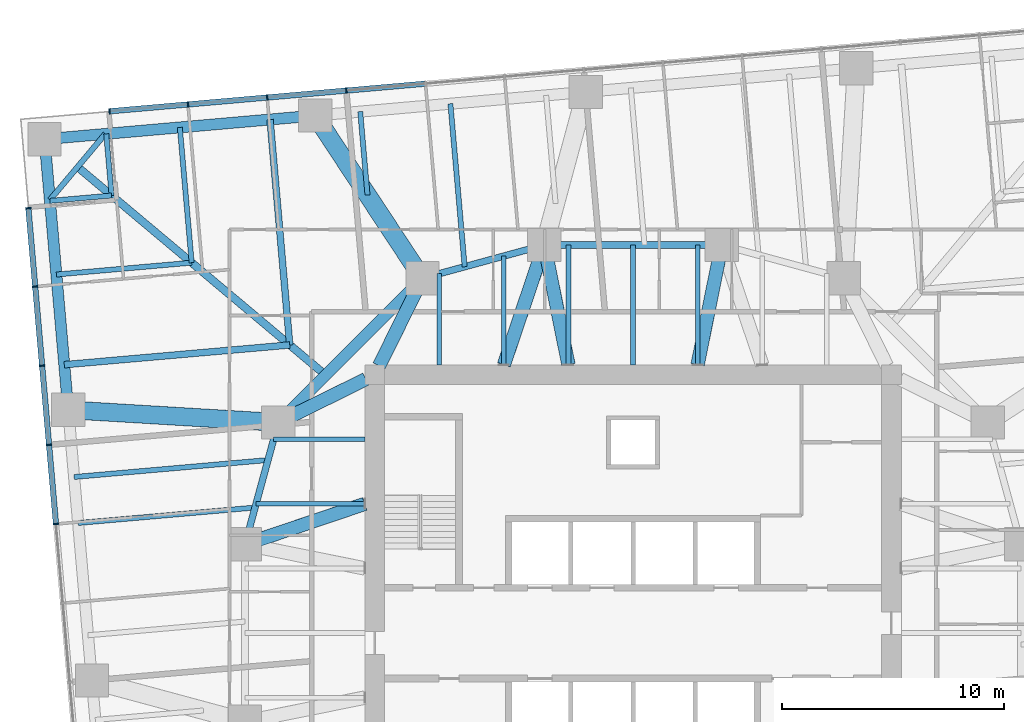
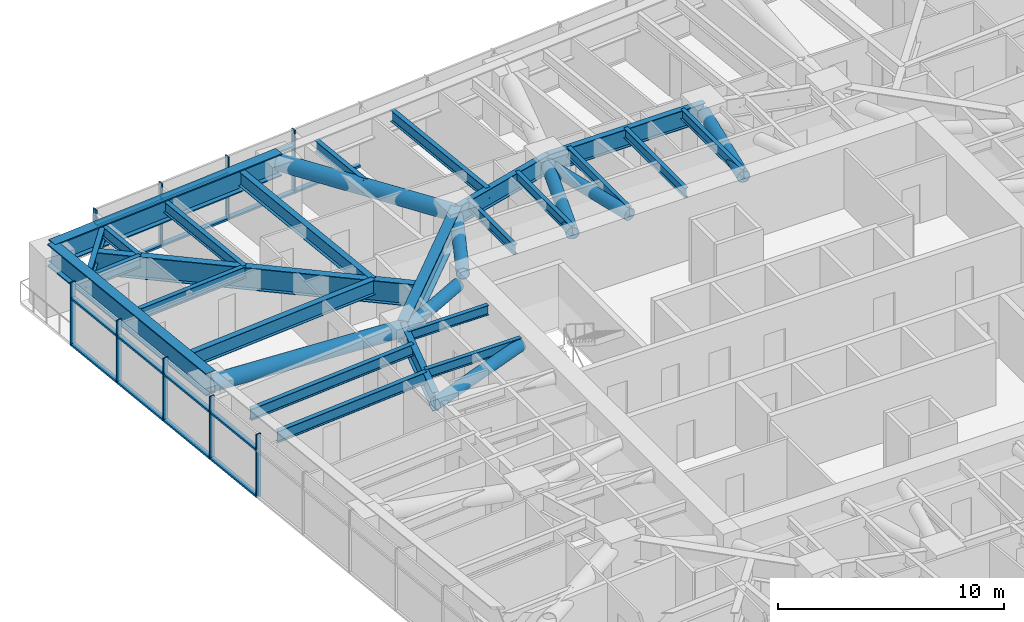
# One storey, part 6 of 18: 32 members, 25 beams, 2 elements without a shape of their own.
"""IFC4 building model written with IfcOpenShell, lengths in metres."""

from ifc_helpers import new_model, si_unit, direction, frame, origin, origin_2d, place, context, subcontext, project, spatial, rectangle, hollow_circle, i_section, extrude, material, material_profile, profile_set, type_object, element, aggregate, save


model = new_model("IFC4")

# Units and contexts
model_context = context("Model", 3, precision=1e-05, world=origin(), true_north=direction((0.0, 1.0)))
body_context = subcontext(model_context, "Body", "Model", "MODEL_VIEW")
ifc_project = project(units=[si_unit("LENGTHUNIT", "METRE"), si_unit("AREAUNIT", "SQUARE_METRE"), si_unit("VOLUMEUNIT", "CUBIC_METRE"), si_unit("PLANEANGLEUNIT", "RADIAN"), si_unit("MASSUNIT", "GRAM", prefix="KILO")], contexts=[model_context])

# Site, building, storey
site_placement = place(None, origin())
site = spatial("IfcSite", under=ifc_project, at=site_placement, CompositionType="ELEMENT")
building_placement = place(site_placement, origin())
building = spatial("IfcBuilding", under=site, at=building_placement, Name="Torsade Residences", CompositionType="ELEMENT")
storey_placement = place(building_placement, frame((0.0, 0.0, 71.0)))
storey = spatial("IfcBuildingStorey", under=building, at=storey_placement, Name="L19", CompositionType="ELEMENT", Elevation=71.0)

# Beams
ifc_material_1 = material(Name="Steel grade 300", Category="steel")
ifc_material_profile_1 = material_profile(ifc_material_1, i_section(OverallWidth=0.35009765625, OverallDepth=1.199951171875, WebThickness=0.01611328125, FlangeThickness=0.028076171875, at=origin_2d()), Name="1200WB278")
ifc_profile_set_1 = profile_set([ifc_material_profile_1], Name="Steel grade 300")
beam_type_1 = type_object("IfcBeamType", Name="CORNER GIRDER 1200WB278", PredefinedType="BEAM", material=ifc_profile_set_1)
beam_1_placement = place(storey_placement, frame((14.947509765625, 51.021484375, 2.60009765625), z_axis=(0.766046281307, -0.642785419012, 0.0), x_axis=(0.642785419012, 0.766046281307, 0.0)))
element("IfcBeam", 1, at=beam_1_placement, inside=storey, type_object=beam_type_1, Name="Corner girder 13 L20", PredefinedType="BEAM", context=body_context, shape_type="SweptSolid", body=[
    extrude(i_section(OverallWidth=0.35009765625, OverallDepth=1.199951171875, WebThickness=0.01611328125, FlangeThickness=0.028076171875, at=origin_2d()), origin(), (0.0, 0.0, 1.0), 14.603515625),
])
ifc_material_2 = material(Name="Steel grade 300", Category="steel")
ifc_material_profile_2 = material_profile(ifc_material_2, i_section(OverallWidth=0.25, OverallDepth=0.699951171875, WebThickness=0.010009765625, FlangeThickness=0.02001953125, at=origin_2d()), Name="700WB130")
ifc_profile_set_2 = profile_set([ifc_material_profile_2], Name="Steel grade 300")
beam_type_2 = type_object("IfcBeamType", Name="CORNER TRIMMER 700WB130", PredefinedType="BEAM", material=ifc_profile_set_2)
beam_2_placement = place(storey_placement, frame((13.697509765625, 49.531982421875, 2.85009765625), z_axis=(0.642804819911, 0.766030001697, 0.0), x_axis=(-0.766030001697, 0.642804819911, 0.0)))
element("IfcBeam", 2, at=beam_2_placement, inside=storey, type_object=beam_type_2, Name="Corner trimmer 13 L20", PredefinedType="BEAM", context=body_context, shape_type="SweptSolid", body=[
    extrude(i_section(OverallWidth=0.25, OverallDepth=0.699951171875, WebThickness=0.010009765625, FlangeThickness=0.02001953125, at=origin_2d()), origin(), (0.0, 0.0, 1.0), 3.88916015625),
])

# Curtain wall, members
ifc_material_3 = material(Name="Aluminium and glass", Category="aluminium")
curtain_wall_type = type_object("IfcCurtainWallType", Name="FRITTED GLASS CURTAIN WALL LOW ZONE", PredefinedType="NOTDEFINED", material=ifc_material_3)
curtain_wall_1_placement = place(storey_placement, origin())
curtain_wall_1 = element("IfcCurtainWall", 3, at=curtain_wall_1_placement, inside=storey, type_object=curtain_wall_type, Name="Curtain wall L19 face 7", PredefinedType="NOTDEFINED")
ifc_material_4 = material(Name="Aluminium mullion", Category="aluminium")
ifc_material_profile_3 = material_profile(ifc_material_4, rectangle(XDim=0.25, YDim=0.06494140625, at=origin_2d()), Name="CURTAIN WALL MULLION 250x65")
ifc_profile_set_3 = profile_set([ifc_material_profile_3], Name="Aluminium mullion")
member_type_1 = type_object("IfcMemberType", Name="CURTAIN WALL MULLION 250x65", PredefinedType="MULLION", material=ifc_profile_set_3)
member_1_placement = place(storey_placement, frame((27.068359375, 54.466064453125, 0.0), z_axis=(0.0, 0.0, 1.0), x_axis=(0.087155744208, -0.996194697964, 0.0)))
member_1 = element("IfcMember", 4, at=member_1_placement, type_object=member_type_1, Name="Mullion 10", PredefinedType="MULLION", context=body_context, shape_type="SweptSolid", body=[
    extrude(rectangle(XDim=0.25, YDim=0.06494140625, at=origin_2d()), origin(), (0.0, 0.0, 1.0), 3.39990234375),
])
member_2_placement = place(storey_placement, frame((23.498779296875, 54.15380859375, 0.0), z_axis=(0.0, 0.0, 1.0), x_axis=(0.087155744208, -0.996194697964, 0.0)))
member_2 = element("IfcMember", 5, at=member_2_placement, type_object=member_type_1, Name="Mullion 11", PredefinedType="MULLION", context=body_context, shape_type="SweptSolid", body=[
    extrude(rectangle(XDim=0.25, YDim=0.06494140625, at=origin_2d()), origin(), (0.0, 0.0, 1.0), 3.39990234375),
])
member_3_placement = place(storey_placement, frame((19.928955078125, 53.84130859375, 0.0), z_axis=(0.0, 0.0, 1.0), x_axis=(0.087155744208, -0.996194697964, 0.0)))
member_3 = element("IfcMember", 6, at=member_3_placement, type_object=member_type_1, Name="Mullion 12", PredefinedType="MULLION", context=body_context, shape_type="SweptSolid", body=[
    extrude(rectangle(XDim=0.25, YDim=0.06494140625, at=origin_2d()), origin(), (0.0, 0.0, 1.0), 3.39990234375),
])
member_4_placement = place(storey_placement, frame((16.3916015625, 53.531982421875, 0.0), z_axis=(0.0, 0.0, 1.0), x_axis=(0.087155744208, -0.996194697964, 0.0)))
member_4 = element("IfcMember", 7, at=member_4_placement, type_object=member_type_1, Name="Mullion 13", PredefinedType="MULLION", context=body_context, shape_type="SweptSolid", body=[
    extrude(rectangle(XDim=0.25, YDim=0.06494140625, at=origin_2d()), origin(), (0.0, 0.0, 1.0), 3.39990234375),
])

curtain_wall_2_placement = place(storey_placement, origin())
curtain_wall_2 = element("IfcCurtainWall", 8, at=curtain_wall_2_placement, inside=storey, type_object=curtain_wall_type, Name="Curtain wall L19 face 10", PredefinedType="NOTDEFINED")
member_5_placement = place(storey_placement, frame((12.72607421875, 49.163330078125, 0.0), z_axis=(0.0, 0.0, 1.0), x_axis=(0.996194697964, 0.087155744208, 0.0)))
member_5 = element("IfcMember", 9, at=member_5_placement, type_object=member_type_1, Name="Mullion 1", PredefinedType="MULLION", context=body_context, shape_type="SweptSolid", body=[
    extrude(rectangle(XDim=0.25, YDim=0.06494140625, at=origin_2d()), origin(), (0.0, 0.0, 1.0), 3.39990234375),
])
member_6_placement = place(storey_placement, frame((13.035400390625, 45.6259765625, 0.0), z_axis=(0.0, 0.0, 1.0), x_axis=(0.996194697964, 0.087155744208, 0.0)))
member_6 = element("IfcMember", 10, at=member_6_placement, type_object=member_type_1, Name="Mullion 2", PredefinedType="MULLION", context=body_context, shape_type="SweptSolid", body=[
    extrude(rectangle(XDim=0.25, YDim=0.06494140625, at=origin_2d()), origin(), (0.0, 0.0, 1.0), 3.39990234375),
])
member_7_placement = place(storey_placement, frame((13.347900390625, 42.056396484375, 0.0), z_axis=(0.0, 0.0, 1.0), x_axis=(0.996194697964, 0.087155744208, 0.0)))
member_7 = element("IfcMember", 11, at=member_7_placement, type_object=member_type_1, Name="Mullion 3", PredefinedType="MULLION", context=body_context, shape_type="SweptSolid", body=[
    extrude(rectangle(XDim=0.25, YDim=0.06494140625, at=origin_2d()), origin(), (0.0, 0.0, 1.0), 3.39990234375),
])
member_8_placement = place(storey_placement, frame((13.66015625, 38.486572265625, 0.0), z_axis=(0.0, 0.0, 1.0), x_axis=(0.996194697964, 0.087155744208, 0.0)))
member_8 = element("IfcMember", 12, at=member_8_placement, type_object=member_type_1, Name="Mullion 4", PredefinedType="MULLION", context=body_context, shape_type="SweptSolid", body=[
    extrude(rectangle(XDim=0.25, YDim=0.06494140625, at=origin_2d()), origin(), (0.0, 0.0, 1.0), 3.39990234375),
])
member_9_placement = place(storey_placement, frame((13.972412109375, 34.9169921875, 0.0), z_axis=(0.0, 0.0, 1.0), x_axis=(0.996194697964, 0.087155744208, 0.0)))
member_9 = element("IfcMember", 13, at=member_9_placement, type_object=member_type_1, Name="Mullion 5", PredefinedType="MULLION", context=body_context, shape_type="SweptSolid", body=[
    extrude(rectangle(XDim=0.25, YDim=0.06494140625, at=origin_2d()), origin(), (0.0, 0.0, 1.0), 3.39990234375),
])

# Member
ifc_material_5 = material(Name="Aluminium transom", Category="aluminium")
ifc_material_profile_4 = material_profile(ifc_material_5, rectangle(XDim=0.25, YDim=0.10009765625, at=origin_2d()), Name="CURTAIN WALL TRANSOM 250x100")
ifc_profile_set_4 = profile_set([ifc_material_profile_4], Name="Aluminium transom")
member_type_2 = type_object("IfcMemberType", Name="CURTAIN WALL TRANSOM 250x100", PredefinedType="USERDEFINED", material=ifc_profile_set_4)
member_10_placement = place(storey_placement, frame((30.605712890625, 54.775634765625, 0.050048828125), z_axis=(-0.996194621295, -0.087156620531, 0.0), x_axis=(0.087156620531, -0.996194621295, 0.0)))
member_10 = element("IfcMember", 14, at=member_10_placement, type_object=member_type_2, Name="Transom 9.1", ObjectType="TRANSOM", PredefinedType="USERDEFINED", context=body_context, shape_type="SweptSolid", body=[
    extrude(rectangle(XDim=0.25, YDim=0.10009765625, at=origin_2d()), origin(), (0.0, 0.0, 1.0), 3.518310546875),
])

member_11_placement = place(storey_placement, frame((27.0361328125, 54.463134765625, 0.050048828125), z_axis=(-0.996195148363, -0.08715059597, 0.0), x_axis=(0.08715059597, -0.996195148363, 0.0)))
member_11 = element("IfcMember", 15, at=member_11_placement, type_object=member_type_2, Name="Transom 10.1", ObjectType="TRANSOM", PredefinedType="USERDEFINED", context=body_context, shape_type="SweptSolid", body=[
    extrude(rectangle(XDim=0.25, YDim=0.10009765625, at=origin_2d()), origin(), (0.0, 0.0, 1.0), 3.5185546875),
])

member_12_placement = place(storey_placement, frame((27.0361328125, 54.463134765625, 2.550048828125), z_axis=(-0.996195148363, -0.08715059597, 0.0), x_axis=(0.08715059597, -0.996195148363, 0.0)))
member_12 = element("IfcMember", 16, at=member_12_placement, type_object=member_type_2, Name="Transom 10.2", ObjectType="TRANSOM", PredefinedType="USERDEFINED", context=body_context, shape_type="SweptSolid", body=[
    extrude(rectangle(XDim=0.25, YDim=0.10009765625, at=origin_2d()), origin(), (0.0, 0.0, 1.0), 3.5185546875),
])

member_13_placement = place(storey_placement, frame((23.46630859375, 54.15087890625, 0.050048828125), z_axis=(-0.996194621295, -0.087156620531, 0.0), x_axis=(0.087156620531, -0.996194621295, 0.0)))
member_13 = element("IfcMember", 17, at=member_13_placement, type_object=member_type_2, Name="Transom 11.1", ObjectType="TRANSOM", PredefinedType="USERDEFINED", context=body_context, shape_type="SweptSolid", body=[
    extrude(rectangle(XDim=0.25, YDim=0.10009765625, at=origin_2d()), origin(), (0.0, 0.0, 1.0), 3.518310546875),
])

member_14_placement = place(storey_placement, frame((23.46630859375, 54.15087890625, 2.550048828125), z_axis=(-0.996194621295, -0.087156620531, 0.0), x_axis=(0.087156620531, -0.996194621295, 0.0)))
member_14 = element("IfcMember", 18, at=member_14_placement, type_object=member_type_2, Name="Transom 11.2", ObjectType="TRANSOM", PredefinedType="USERDEFINED", context=body_context, shape_type="SweptSolid", body=[
    extrude(rectangle(XDim=0.25, YDim=0.10009765625, at=origin_2d()), origin(), (0.0, 0.0, 1.0), 3.518310546875),
])

member_15_placement = place(storey_placement, frame((19.896728515625, 53.838623046875, 0.050048828125), z_axis=(-0.996191284475, -0.08719475177, 0.0), x_axis=(0.08719475177, -0.996191284475, 0.0)))
member_15 = element("IfcMember", 19, at=member_15_placement, type_object=member_type_2, Name="Transom 12.1", ObjectType="TRANSOM", PredefinedType="USERDEFINED", context=body_context, shape_type="SweptSolid", body=[
    extrude(rectangle(XDim=0.25, YDim=0.10009765625, at=origin_2d()), origin(), (0.0, 0.0, 1.0), 3.48583984375),
])

member_16_placement = place(storey_placement, frame((19.896728515625, 53.838623046875, 2.550048828125), z_axis=(-0.996191284475, -0.08719475177, 0.0), x_axis=(0.08719475177, -0.996191284475, 0.0)))
member_16 = element("IfcMember", 20, at=member_16_placement, type_object=member_type_2, Name="Transom 12.2", ObjectType="TRANSOM", PredefinedType="USERDEFINED", context=body_context, shape_type="SweptSolid", body=[
    extrude(rectangle(XDim=0.25, YDim=0.10009765625, at=origin_2d()), origin(), (0.0, 0.0, 1.0), 3.48583984375),
])

aggregate(curtain_wall_1, [member_1, member_2, member_3, member_4, member_10, member_11, member_12, member_13, member_14, member_15, member_16])

member_17_placement = place(storey_placement, frame((12.728759765625, 49.130859375, 0.050048828125), z_axis=(0.0872008357, -0.996190751941, 0.0), x_axis=(0.996190751941, 0.0872008357, 0.0)))
member_17 = element("IfcMember", 21, at=member_17_placement, type_object=member_type_2, Name="Transom 1.1", ObjectType="TRANSOM", PredefinedType="USERDEFINED", context=body_context, shape_type="SweptSolid", body=[
    extrude(rectangle(XDim=0.25, YDim=0.10009765625, at=origin_2d()), origin(), (0.0, 0.0, 1.0), 3.485595703125),
])

member_18_placement = place(storey_placement, frame((12.728759765625, 49.130859375, 2.550048828125), z_axis=(0.0872008357, -0.996190751941, 0.0), x_axis=(0.996190751941, 0.0872008357, 0.0)))
member_18 = element("IfcMember", 22, at=member_18_placement, type_object=member_type_2, Name="Transom 1.2", ObjectType="TRANSOM", PredefinedType="USERDEFINED", context=body_context, shape_type="SweptSolid", body=[
    extrude(rectangle(XDim=0.25, YDim=0.10009765625, at=origin_2d()), origin(), (0.0, 0.0, 1.0), 3.485595703125),
])

member_19_placement = place(storey_placement, frame((13.038330078125, 45.59375, 0.050048828125), z_axis=(0.08715059597, -0.996195148363, 0.0), x_axis=(0.996195148363, 0.08715059597, 0.0)))
member_19 = element("IfcMember", 23, at=member_19_placement, type_object=member_type_2, Name="Transom 2.1", ObjectType="TRANSOM", PredefinedType="USERDEFINED", context=body_context, shape_type="SweptSolid", body=[
    extrude(rectangle(XDim=0.25, YDim=0.10009765625, at=origin_2d()), origin(), (0.0, 0.0, 1.0), 3.5185546875),
])

member_20_placement = place(storey_placement, frame((13.038330078125, 45.59375, 2.550048828125), z_axis=(0.08715059597, -0.996195148363, 0.0), x_axis=(0.996195148363, 0.08715059597, 0.0)))
member_20 = element("IfcMember", 24, at=member_20_placement, type_object=member_type_2, Name="Transom 2.2", ObjectType="TRANSOM", PredefinedType="USERDEFINED", context=body_context, shape_type="SweptSolid", body=[
    extrude(rectangle(XDim=0.25, YDim=0.10009765625, at=origin_2d()), origin(), (0.0, 0.0, 1.0), 3.5185546875),
])

member_21_placement = place(storey_placement, frame((13.3505859375, 42.02392578125, 0.050048828125), z_axis=(0.087156620531, -0.996194621295, 0.0), x_axis=(0.996194621295, 0.087156620531, 0.0)))
member_21 = element("IfcMember", 25, at=member_21_placement, type_object=member_type_2, Name="Transom 3.1", ObjectType="TRANSOM", PredefinedType="USERDEFINED", context=body_context, shape_type="SweptSolid", body=[
    extrude(rectangle(XDim=0.25, YDim=0.10009765625, at=origin_2d()), origin(), (0.0, 0.0, 1.0), 3.518310546875),
])

member_22_placement = place(storey_placement, frame((13.3505859375, 42.02392578125, 2.550048828125), z_axis=(0.087156620531, -0.996194621295, 0.0), x_axis=(0.996194621295, 0.087156620531, 0.0)))
member_22 = element("IfcMember", 26, at=member_22_placement, type_object=member_type_2, Name="Transom 3.2", ObjectType="TRANSOM", PredefinedType="USERDEFINED", context=body_context, shape_type="SweptSolid", body=[
    extrude(rectangle(XDim=0.25, YDim=0.10009765625, at=origin_2d()), origin(), (0.0, 0.0, 1.0), 3.518310546875),
])

member_23_placement = place(storey_placement, frame((13.662841796875, 38.454345703125, 0.050048828125), z_axis=(0.08715059597, -0.996195148363, 0.0), x_axis=(0.996195148363, 0.08715059597, 0.0)))
member_23 = element("IfcMember", 27, at=member_23_placement, type_object=member_type_2, Name="Transom 4.1", ObjectType="TRANSOM", PredefinedType="USERDEFINED", context=body_context, shape_type="SweptSolid", body=[
    extrude(rectangle(XDim=0.25, YDim=0.10009765625, at=origin_2d()), origin(), (0.0, 0.0, 1.0), 3.5185546875),
])

member_24_placement = place(storey_placement, frame((13.662841796875, 38.454345703125, 2.550048828125), z_axis=(0.08715059597, -0.996195148363, 0.0), x_axis=(0.996195148363, 0.08715059597, 0.0)))
member_24 = element("IfcMember", 28, at=member_24_placement, type_object=member_type_2, Name="Transom 4.2", ObjectType="TRANSOM", PredefinedType="USERDEFINED", context=body_context, shape_type="SweptSolid", body=[
    extrude(rectangle(XDim=0.25, YDim=0.10009765625, at=origin_2d()), origin(), (0.0, 0.0, 1.0), 3.5185546875),
])

aggregate(curtain_wall_2, [member_5, member_6, member_7, member_8, member_9, member_17, member_18, member_19, member_20, member_21, member_22, member_23, member_24])

# Beams
ifc_material_6 = material(Name="Steel grade 300", Category="steel")
ifc_material_profile_5 = material_profile(ifc_material_6, i_section(OverallWidth=0.208984375, OverallDepth=0.528076171875, WebThickness=0.009521484375, FlangeThickness=0.01318359375, FilletRadius=0.013916015625, at=origin_2d()), Name="530UB82.0")
ifc_profile_set_5 = profile_set([ifc_material_profile_5], Name="Steel grade 300")
beam_type_3 = type_object("IfcBeamType", Name="INNER FLOOR BEAM 530UB82.0", PredefinedType="JOIST", material=ifc_profile_set_5)
beam_3_placement = place(storey_placement, frame((31.262451171875, 42.10009765625, 2.93603515625), z_axis=(0.0, 1.0, 0.0), x_axis=(-1.0, 0.0, 0.0)))
element("IfcBeam", 29, at=beam_3_placement, inside=storey, type_object=beam_type_3, Name="Inner floor beam IN01 L20", PredefinedType="JOIST", context=body_context, shape_type="SweptSolid", body=[
    extrude(i_section(OverallWidth=0.208984375, OverallDepth=0.528076171875, WebThickness=0.009521484375, FlangeThickness=0.01318359375, FilletRadius=0.013916015625, at=origin_2d()), origin(), (0.0, 0.0, 1.0), 4.10791015625),
])
beam_4_placement = place(storey_placement, frame((34.175048828125, 42.10009765625, 2.93603515625), z_axis=(0.0, 1.0, 0.0), x_axis=(-1.0, 0.0, 0.0)))
element("IfcBeam", 30, at=beam_4_placement, inside=storey, type_object=beam_type_3, Name="Inner floor beam IN02 L20", PredefinedType="JOIST", context=body_context, shape_type="SweptSolid", body=[
    extrude(i_section(OverallWidth=0.208984375, OverallDepth=0.528076171875, WebThickness=0.009521484375, FlangeThickness=0.01318359375, FilletRadius=0.013916015625, at=origin_2d()), origin(), (0.0, 0.0, 1.0), 4.902099609375),
])
for number, where, z_axis, x_axis, name in (
    (31, (37.08740234375, 42.10009765625, 2.93603515625), (0.0, 1.0, 0.0), (-1.0, 0.0, 0.0), "Inner floor beam IN03 L20"),
    (32, (40.0, 42.10009765625, 2.93603515625), (0.0, 1.0, 0.0), (-1.0, 0.0, 0.0), "Inner floor beam IN04 L20"),
    (33, (42.91259765625, 42.10009765625, 2.93603515625), (0.0, 1.0, 0.0), (-1.0, 0.0, 0.0), "Inner floor beam IN05 L20"),
):
    element("IfcBeam", number, at=place(storey_placement, frame(where, z_axis=z_axis, x_axis=x_axis)), inside=storey, type_object=beam_type_3, Name=name, PredefinedType="JOIST", context=body_context, shape_type="SweptSolid", body=[
        extrude(i_section(OverallWidth=0.208984375, OverallDepth=0.528076171875, WebThickness=0.009521484375, FlangeThickness=0.01318359375, FilletRadius=0.013916015625, at=origin_2d()), origin(), (0.0, 0.0, 1.0), 5.39990234375),
    ])
beam_5_placement = place(storey_placement, frame((27.89990234375, 38.737548828125, 2.93603515625), z_axis=(-1.0, 0.0, 0.0), x_axis=(0.0, -1.0, 0.0)))
element("IfcBeam", 34, at=beam_5_placement, inside=storey, type_object=beam_type_3, Name="Inner floor beam IW01 L20", PredefinedType="JOIST", context=body_context, shape_type="SweptSolid", body=[
    extrude(i_section(OverallWidth=0.208984375, OverallDepth=0.528076171875, WebThickness=0.009521484375, FlangeThickness=0.01318359375, FilletRadius=0.013916015625, at=origin_2d()), origin(), (0.0, 0.0, 1.0), 4.10791015625),
])
beam_6_placement = place(storey_placement, frame((27.89990234375, 35.824951171875, 2.93603515625), z_axis=(-1.0, 0.0, 0.0), x_axis=(0.0, -1.0, 0.0)))
element("IfcBeam", 35, at=beam_6_placement, inside=storey, type_object=beam_type_3, Name="Inner floor beam IW02 L20", PredefinedType="JOIST", context=body_context, shape_type="SweptSolid", body=[
    extrude(i_section(OverallWidth=0.208984375, OverallDepth=0.528076171875, WebThickness=0.009521484375, FlangeThickness=0.01318359375, FilletRadius=0.013916015625, at=origin_2d()), origin(), (0.0, 0.0, 1.0), 4.902099609375),
])
ifc_material_7 = material(Name="Steel grade 300", Category="steel")
ifc_material_profile_6 = material_profile(ifc_material_7, i_section(OverallWidth=0.5, OverallDepth=1.199951171875, WebThickness=0.01611328125, FlangeThickness=0.0400390625, at=origin_2d()), Name="1200WB455")
ifc_profile_set_6 = profile_set([ifc_material_profile_6], Name="Steel grade 300")
beam_type_4 = type_object("IfcBeamType", Name="RING CORNER GIRDER 1200WB455", PredefinedType="BEAM", material=ifc_profile_set_6)
beam_7_placement = place(storey_placement, frame((30.5, 46.0, 2.60009765625), z_axis=(-0.707106781187, -0.707106781187, 0.0), x_axis=(0.707106781187, -0.707106781187, 0.0)))
element("IfcBeam", 36, at=beam_7_placement, inside=storey, type_object=beam_type_4, Name="Ring girder IR07 L20", PredefinedType="BEAM", context=body_context, shape_type="SweptSolid", body=[
    extrude(i_section(OverallWidth=0.5, OverallDepth=1.199951171875, WebThickness=0.01611328125, FlangeThickness=0.0400390625, at=origin_2d()), origin(), (0.0, 0.0, 1.0), 9.1923828125),
])
ifc_material_8 = material(Name="Steel grade 300", Category="steel")
ifc_material_profile_7 = material_profile(ifc_material_8, i_section(OverallWidth=0.300048828125, OverallDepth=1.0, WebThickness=0.01611328125, FlangeThickness=0.028076171875, at=origin_2d()), Name="1000WB215")
ifc_profile_set_7 = profile_set([ifc_material_profile_7], Name="Steel grade 300")
beam_type_5 = type_object("IfcBeamType", Name="RING GIRDER 1000WB215", PredefinedType="BEAM", material=ifc_profile_set_7)
beam_8_placement = place(storey_placement, frame((44.0, 47.5, 2.699951171875), z_axis=(-1.0, 0.0, 0.0), x_axis=(0.0, -1.0, 0.0)))
element("IfcBeam", 37, at=beam_8_placement, inside=storey, type_object=beam_type_5, Name="Ring girder IR05 L20", PredefinedType="BEAM", context=body_context, shape_type="SweptSolid", body=[
    extrude(i_section(OverallWidth=0.300048828125, OverallDepth=1.0, WebThickness=0.01611328125, FlangeThickness=0.028076171875, at=origin_2d()), origin(), (0.0, 0.0, 1.0), 8.0),
])
for number, where, z_axis, x_axis, name in (
    (38, (36.0, 47.5, 2.699951171875), (-0.964763821238, -0.263117405792, 0.0), (0.263117405792, -0.964763821238, 0.0), "Ring girder IR06 L20"),
    (39, (24.0, 39.5, 2.699951171875), (-0.263117405792, -0.964763821238, 0.0), (0.964763821238, -0.263117405792, 0.0), "Ring girder IR08 L20"),
):
    element("IfcBeam", number, at=place(storey_placement, frame(where, z_axis=z_axis, x_axis=x_axis)), inside=storey, type_object=beam_type_5, Name=name, PredefinedType="BEAM", context=body_context, shape_type="SweptSolid", body=[
        extrude(i_section(OverallWidth=0.300048828125, OverallDepth=1.0, WebThickness=0.01611328125, FlangeThickness=0.028076171875, at=origin_2d()), origin(), (0.0, 0.0, 1.0), 5.700927734375),
    ])
ifc_material_9 = material(Name="Steel grade 300", Category="steel")
ifc_material_profile_8 = material_profile(ifc_material_9, i_section(OverallWidth=0.22900390625, OverallDepth=0.612060546875, WebThickness=0.011962890625, FlangeThickness=0.01953125, FilletRadius=0.013916015625, at=origin_2d()), Name="610UB125")
ifc_profile_set_8 = profile_set([ifc_material_profile_8], Name="Steel grade 300")
beam_type_6 = type_object("IfcBeamType", Name="SECONDARY BEAM 610UB125", PredefinedType="JOIST", material=ifc_profile_set_8)
beam_9_placement = place(storey_placement, frame((31.762939453125, 53.873046875, 2.89404296875), z_axis=(0.087156282128, -0.996194650902, 0.0), x_axis=(0.996194650902, 0.087156282128, 0.0)))
element("IfcBeam", 40, at=beam_9_placement, inside=storey, type_object=beam_type_6, Name="Floor beam FN08 L20", PredefinedType="JOIST", context=body_context, shape_type="SweptSolid", body=[
    extrude(i_section(OverallWidth=0.22900390625, OverallDepth=0.612060546875, WebThickness=0.011962890625, FlangeThickness=0.01953125, FilletRadius=0.013916015625, at=origin_2d()), origin(), (0.0, 0.0, 1.0), 7.381103515625),
])
beam_10_placement = place(storey_placement, frame((27.6953125, 53.51708984375, 2.89404296875), z_axis=(0.087142892177, -0.996195822288, 0.0), x_axis=(0.996195822288, 0.087142892177, 0.0)))
element("IfcBeam", 41, at=beam_10_placement, inside=storey, type_object=beam_type_6, Name="Floor beam FN09 L20", PredefinedType="JOIST", context=body_context, shape_type="SweptSolid", body=[
    extrude(i_section(OverallWidth=0.22900390625, OverallDepth=0.612060546875, WebThickness=0.011962890625, FlangeThickness=0.01953125, FilletRadius=0.013916015625, at=origin_2d()), origin(), (0.0, 0.0, 1.0), 3.776611328125),
])
beam_11_placement = place(storey_placement, frame((19.5595703125, 52.80517578125, 2.89404296875), z_axis=(0.087174861801, -0.996193025206, 0.0), x_axis=(0.996193025206, 0.087174861801, 0.0)))
element("IfcBeam", 42, at=beam_11_placement, inside=storey, type_object=beam_type_6, Name="Floor beam FN11 L20", PredefinedType="JOIST", context=body_context, shape_type="SweptSolid", body=[
    extrude(i_section(OverallWidth=0.22900390625, OverallDepth=0.612060546875, WebThickness=0.011962890625, FlangeThickness=0.01953125, FilletRadius=0.013916015625, at=origin_2d()), origin(), (0.0, 0.0, 1.0), 6.125),
])
for number, where, z_axis, x_axis, name in (
    (43, (16.239013671875, 52.5146484375, 2.89404296875), (0.087105111923, -0.996199126418, 0.0), (0.996199126418, 0.087105111923, 0.0), "Floor beam FN12 L20"),
    (44, (13.701171875, 49.490478515625, 2.89404296875), (0.996199126418, 0.087105111923, 0.0), (-0.087105111923, 0.996199126418, 0.0), "Floor beam FW01 L20"),
):
    element("IfcBeam", number, at=place(storey_placement, frame(where, z_axis=z_axis, x_axis=x_axis)), inside=storey, type_object=beam_type_6, Name=name, PredefinedType="JOIST", context=body_context, shape_type="SweptSolid", body=[
        extrude(i_section(OverallWidth=0.22900390625, OverallDepth=0.612060546875, WebThickness=0.011962890625, FlangeThickness=0.01953125, FilletRadius=0.013916015625, at=origin_2d()), origin(), (0.0, 0.0, 1.0), 2.79150390625),
    ])
beam_12_placement = place(storey_placement, frame((13.99169921875, 46.169677734375, 2.89404296875), z_axis=(0.996193328106, 0.087171400335, 0.0), x_axis=(-0.087171400335, 0.996193328106, 0.0)))
element("IfcBeam", 45, at=beam_12_placement, inside=storey, type_object=beam_type_6, Name="Floor beam FW02 L20", PredefinedType="JOIST", context=body_context, shape_type="SweptSolid", body=[
    extrude(i_section(OverallWidth=0.22900390625, OverallDepth=0.612060546875, WebThickness=0.011962890625, FlangeThickness=0.01953125, FilletRadius=0.013916015625, at=origin_2d()), origin(), (0.0, 0.0, 1.0), 6.125244140625),
])
beam_13_placement = place(storey_placement, frame((14.790771484375, 37.0380859375, 2.89404296875), z_axis=(0.996195588568, 0.087145563964, 0.0), x_axis=(-0.087145563964, 0.996195588568, 0.0)))
element("IfcBeam", 46, at=beam_13_placement, inside=storey, type_object=beam_type_6, Name="Floor beam FW04 L20", PredefinedType="JOIST", context=body_context, shape_type="SweptSolid", body=[
    extrude(i_section(OverallWidth=0.22900390625, OverallDepth=0.612060546875, WebThickness=0.011962890625, FlangeThickness=0.01953125, FilletRadius=0.013916015625, at=origin_2d()), origin(), (0.0, 0.0, 1.0), 8.780029296875),
])
beam_14_placement = place(storey_placement, frame((14.97216796875, 34.962646484375, 2.89404296875), z_axis=(0.996194478268, 0.087158255311, 0.0), x_axis=(-0.087158255311, 0.996194478268, 0.0)))
element("IfcBeam", 47, at=beam_14_placement, inside=storey, type_object=beam_type_6, Name="Floor beam FW05 L20", PredefinedType="JOIST", context=body_context, shape_type="SweptSolid", body=[
    extrude(i_section(OverallWidth=0.22900390625, OverallDepth=0.612060546875, WebThickness=0.011962890625, FlangeThickness=0.01953125, FilletRadius=0.013916015625, at=origin_2d()), origin(), (0.0, 0.0, 1.0), 8.01123046875),
])
ifc_material_10 = material(Name="Steel grade 300", Category="steel")
ifc_material_profile_9 = material_profile(ifc_material_10, i_section(OverallWidth=0.300048828125, OverallDepth=0.800048828125, WebThickness=0.010009765625, FlangeThickness=0.02001953125, at=origin_2d()), Name="800WB146")
ifc_profile_set_9 = profile_set([ifc_material_profile_9], Name="Steel grade 300")
beam_type_7 = type_object("IfcBeamType", Name="SECONDARY BEAM 800WB146", PredefinedType="JOIST", material=ifc_profile_set_9)
for number, where, z_axis, x_axis, name in (
    (48, (23.62744140625, 53.1611328125, 2.800048828125), (0.087149742944, -0.996195222988, 0.0), (0.996195222988, 0.087149742944, 0.0), "Floor beam FN10 L20"),
    (49, (14.34765625, 42.10205078125, 2.800048828125), (0.996195222988, 0.087149742944, 0.0), (-0.087149742944, 0.996195222988, 0.0), "Floor beam FW03 L20"),
):
    element("IfcBeam", number, at=place(storey_placement, frame(where, z_axis=z_axis, x_axis=x_axis)), inside=storey, type_object=beam_type_7, Name=name, PredefinedType="JOIST", context=body_context, shape_type="SweptSolid", body=[
        extrude(i_section(OverallWidth=0.300048828125, OverallDepth=0.800048828125, WebThickness=0.010009765625, FlangeThickness=0.02001953125, at=origin_2d()), origin(), (0.0, 0.0, 1.0), 10.208251953125),
    ])

# Members
ifc_material_11 = material(Name="Steel grade 450", Category="steel")
ifc_material_profile_10 = material_profile(ifc_material_11, hollow_circle(Radius=0.304931640625, WallThickness=0.01611328125, at=origin_2d()), Name="610.0x16.0CHS")
ifc_profile_set_10 = profile_set([ifc_material_profile_10], Name="Steel grade 450")
member_type_3 = type_object("IfcMemberType", Name="TRANSFER FLOOR BRACE 610.0x16.0CHS", PredefinedType="BRACE", material=ifc_profile_set_10)
for number, where, z_axis, x_axis, name in (
    (50, (44.0, 47.5, 2.60009765625), (-0.197299340721, -0.97976354245, 0.033710102894), (0.980320704809, -0.197411538983, 0.0), "Transfer floor brace TT2 bottom IR05IN05"),
    (51, (36.0, 47.5, 2.60009765625), (0.197299340721, -0.97976354245, 0.033710102894), (0.980320704809, 0.197411538983, 0.0), "Transfer floor brace TT2 bottom IR06IN03"),
):
    element("IfcMember", number, at=place(storey_placement, frame(where, z_axis=z_axis, x_axis=x_axis)), inside=storey, type_object=member_type_3, Name=name, PredefinedType="BRACE", context=body_context, shape_type="SweptSolid", body=[
        extrude(hollow_circle(Radius=0.304931640625, WallThickness=0.01611328125, at=origin_2d()), origin(), (0.0, 0.0, 1.0), 5.511474609375),
    ])
member_25_placement = place(storey_placement, frame((36.0, 47.5, 2.60009765625), z_axis=(-0.319999920944, -0.946857291164, 0.032577918373), x_axis=(0.947360151124, -0.320169867513, 0.0)))
element("IfcMember", 52, at=member_25_placement, inside=storey, type_object=member_type_3, Name="Transfer floor brace TT2 bottom IR06IN02", PredefinedType="BRACE", context=body_context, shape_type="SweptSolid", body=[
    extrude(hollow_circle(Radius=0.304931640625, WallThickness=0.01611328125, at=origin_2d()), origin(), (0.0, 0.0, 1.0), 5.702880859375),
])
for number, where, z_axis, x_axis, name in (
    (53, (30.5, 46.0, 2.60009765625), (-0.443105036702, -0.896469701914, 0.0), (0.896469701914, -0.443105036702, 0.0), "Transfer floor brace TT2 bottom IR07C"),
    (54, (24.0, 39.5, 2.60009765625), (0.896469701914, 0.443105036702, 0.0), (-0.443105036702, 0.896469701914, 0.0), "Transfer floor brace TT2 bottom IR08C"),
):
    element("IfcMember", number, at=place(storey_placement, frame(where, z_axis=z_axis, x_axis=x_axis)), inside=storey, type_object=member_type_3, Name=name, PredefinedType="BRACE", context=body_context, shape_type="SweptSolid", body=[
        extrude(hollow_circle(Radius=0.304931640625, WallThickness=0.01611328125, at=origin_2d()), origin(), (0.0, 0.0, 1.0), 4.40234375),
    ])
member_26_placement = place(storey_placement, frame((22.5, 34.0, 2.60009765625), z_axis=(0.946857291164, 0.319999920944, 0.032577918373), x_axis=(-0.320169867513, 0.947360151124, 0.0)))
element("IfcMember", 55, at=member_26_placement, inside=storey, type_object=member_type_3, Name="Transfer floor brace TT2 bottom IR09IW02", PredefinedType="BRACE", context=body_context, shape_type="SweptSolid", body=[
    extrude(hollow_circle(Radius=0.304931640625, WallThickness=0.01611328125, at=origin_2d()), origin(), (0.0, 0.0, 1.0), 5.702880859375),
])
ifc_material_12 = material(Name="Steel grade 450", Category="steel")
ifc_material_profile_11 = material_profile(ifc_material_12, hollow_circle(Radius=0.406494140625, WallThickness=0.02490234375, at=origin_2d()), Name="813.0x25.0CHS")
ifc_profile_set_11 = profile_set([ifc_material_profile_11], Name="Steel grade 450")
member_type_4 = type_object("IfcMemberType", Name="TRANSFER FLOOR STRUT 813.0x25.0CHS", PredefinedType="STRUT", material=ifc_profile_set_11)
member_27_placement = place(storey_placement, frame((25.661376953125, 53.339111328125, 2.800048828125), z_axis=(0.550430848899, -0.8348807583, 0.0), x_axis=(0.8348807583, 0.550430848899, 0.0)))
element("IfcMember", 56, at=member_27_placement, inside=storey, type_object=member_type_4, Name="Transfer floor strut TT2 bottom 12IR07", PredefinedType="STRUT", context=body_context, shape_type="SweptSolid", body=[
    extrude(hollow_circle(Radius=0.406494140625, WallThickness=0.02490234375, at=origin_2d()), origin(), (0.0, 0.0, 1.0), 8.79052734375),
])
member_28_placement = place(storey_placement, frame((14.525634765625, 40.068115234375, 2.800048828125), z_axis=(0.998207028485, -0.05985589598, 0.0), x_axis=(0.05985589598, 0.998207028485, 0.0)))
element("IfcMember", 57, at=member_28_placement, inside=storey, type_object=member_type_4, Name="Transfer floor strut TT2 bottom 14IR08", PredefinedType="STRUT", context=body_context, shape_type="SweptSolid", body=[
    extrude(hollow_circle(Radius=0.406494140625, WallThickness=0.02490234375, at=origin_2d()), origin(), (0.0, 0.0, 1.0), 9.491455078125),
])

# Beams
ifc_material_13 = material(Name="Steel grade 350", Category="steel")
ifc_material_profile_12 = material_profile(ifc_material_13, i_section(OverallWidth=0.5, OverallDepth=1.199951171875, WebThickness=0.035888671875, FlangeThickness=0.06005859375, at=origin_2d()), Name="1200x500x60x36WPG")
ifc_profile_set_12 = profile_set([ifc_material_profile_12], Name="Steel grade 350")
beam_type_8 = type_object("IfcBeamType", Name="TRANSFER TRUSS CHORD 1200x500x60x36WPG", PredefinedType="USERDEFINED", material=ifc_profile_set_12)
for number, where, z_axis, x_axis, name in (
    (58, (25.661376953125, 53.339111328125, 2.800048828125), (-0.996194907201, -0.08715335259, 0.0), (0.08715335259, -0.996194907201, 0.0), "Transfer truss TT2 bottom chord 12"),
    (59, (13.4580078125, 52.271484375, 2.800048828125), (0.08715335259, -0.996194907201, 0.0), (0.996194907201, 0.08715335259, 0.0), "Transfer truss TT2 bottom chord 13"),
):
    element("IfcBeam", number, at=place(storey_placement, frame(where, z_axis=z_axis, x_axis=x_axis)), inside=storey, type_object=beam_type_8, Name=name, ObjectType="TRANSFER TRUSS CHORD", PredefinedType="USERDEFINED", context=body_context, shape_type="SweptSolid", body=[
        extrude(i_section(OverallWidth=0.5, OverallDepth=1.199951171875, WebThickness=0.035888671875, FlangeThickness=0.06005859375, at=origin_2d()), origin(), (0.0, 0.0, 1.0), 12.25),
    ])

save(model, "model.ifc")
